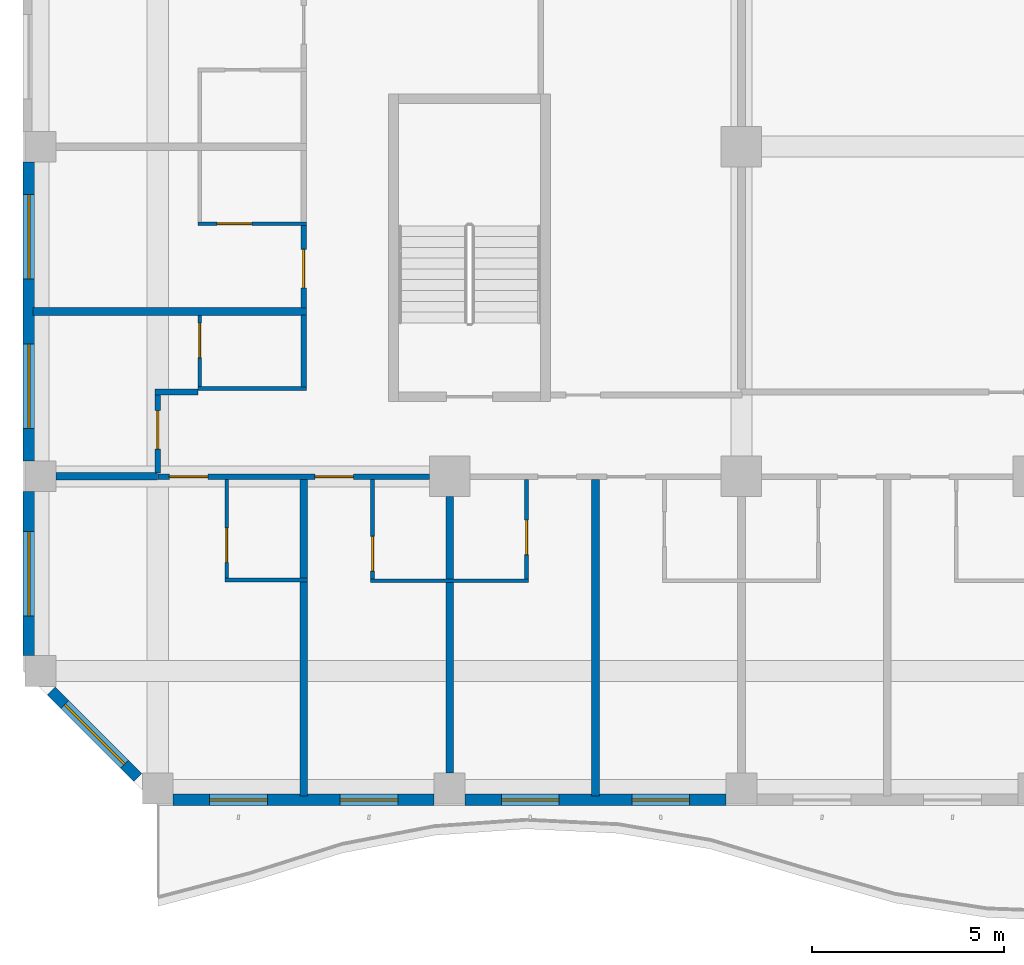
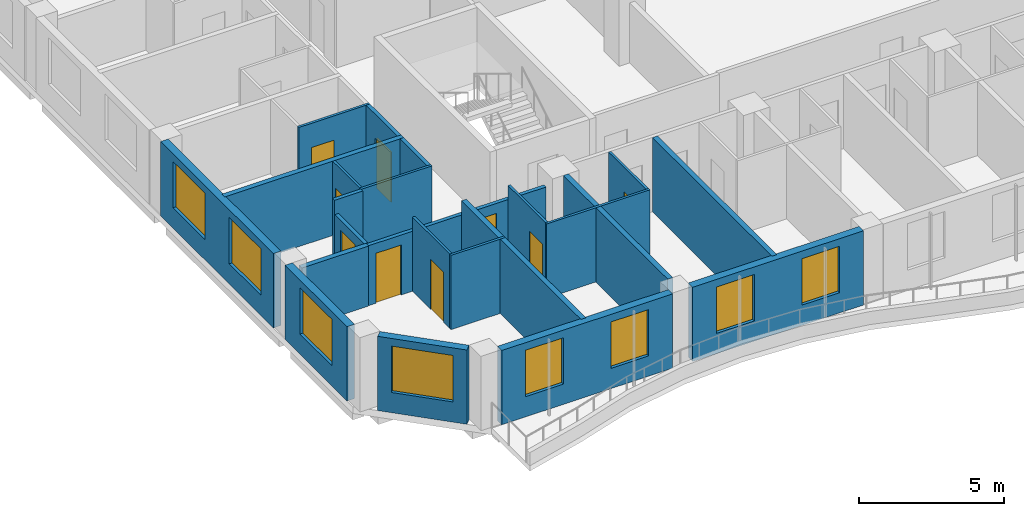
# One storey, part 2 of 24: 25 walls, 9 doors, 8 windows, 17 openings.
"""IFC4 building model written with IfcOpenShell, lengths in metres."""

from ifc_helpers import new_model, si_unit, direction, frame, frame_2d, origin, place, context, subcontext, project, spatial, rectangle, extrude, source, transform, mapped, material, layer, layer_set, type_object, element, fill, save


model = new_model("IFC4")

# Units and contexts
model_context = context("Model", 3, precision=1e-05, world=origin(), true_north=direction((0.0, 1.0)))
body_context = subcontext(model_context, "Body", "Model", "MODEL_VIEW")
ifc_project = project(units=[si_unit("LENGTHUNIT", "METRE"), si_unit("AREAUNIT", "SQUARE_METRE"), si_unit("VOLUMEUNIT", "CUBIC_METRE"), si_unit("PLANEANGLEUNIT", "RADIAN"), si_unit("MASSUNIT", "GRAM", prefix="KILO")], contexts=[model_context])

# Site, building, storey
site_placement = place(None, origin())
site = spatial("IfcSite", under=ifc_project, at=site_placement, CompositionType="ELEMENT")
building_placement = place(site_placement, origin())
building = spatial("IfcBuilding", under=site, at=building_placement, Name="Kilnfold Tower and Market Hall", CompositionType="ELEMENT")
storey_placement = place(building_placement, frame((0.0, 0.0, 175.300048828125)))
storey = spatial("IfcBuildingStorey", under=building, at=storey_placement, Name="L41", CompositionType="ELEMENT", Elevation=175.300048828125)

# Wall, openings, doors
ifc_material_1 = material(Name="Gypsum board on steel studs", Category="steel")
ifc_layer_1 = layer(ifc_material_1, 0.14990234375)
ifc_layer_set_1 = layer_set([ifc_layer_1], Name="Gypsum board on steel studs")
wall_type_1 = type_object("IfcWallType", Name="WALL CORRIDOR 150", PredefinedType="PARTITIONING", material=ifc_layer_set_1)
wall_1_placement = place(storey_placement, frame((-23.75, -17.699951171875, 0.0), z_axis=(0.0, 0.0, 1.0), x_axis=(1.0, 0.0, 0.0)))
wall_1 = element("IfcWall", 1, at=wall_1_placement, inside=storey, type_object=wall_type_1, Name="Partition LY26.1", PredefinedType="PARTITIONING", context=body_context, shape_type="SweptSolid", body=[
    extrude(rectangle(XDim=7.05810546875, YDim=0.14990234375, at=frame_2d((3.529052734375, 0.0))), origin(), (0.0, 0.0, 1.0), 2.52001953125),
])
opening_1_placement = place(wall_1_placement, frame((0.300048828125, 0.0, 0.0)))
opening_1 = element("IfcOpeningElement", 2, at=opening_1_placement, cuts=wall_1, Name="Opening D1", PredefinedType="OPENING", context=body_context, shape_type="SweptSolid", body=[
    extrude(rectangle(XDim=1.0, YDim=2.10009765625, at=frame_2d((0.5, 1.050048828125))), frame((0.0, 0.0849609375, 0.0), z_axis=(0.0, -1.0, 0.0), x_axis=(1.0, 0.0, 0.0)), (0.0, 0.0, 1.0), 0.169921875),
])
opening_2_placement = place(wall_1_placement, frame((4.083984375, 0.0, 0.0)))
opening_2 = element("IfcOpeningElement", 3, at=opening_2_placement, cuts=wall_1, Name="Opening D1", PredefinedType="OPENING", context=body_context, shape_type="SweptSolid", body=[
    extrude(rectangle(XDim=1.0, YDim=2.10009765625, at=frame_2d((0.5, 1.050048828125))), frame((0.0, 0.0849609375, 0.0), z_axis=(0.0, -1.0, 0.0), x_axis=(1.0, 0.0, 0.0)), (0.0, 0.0, 1.0), 0.169921875),
])
ifc_material_2 = material(Name="Timber veneer door leaf in steel frame", Category="steel")
door_type_1 = type_object("IfcDoorType", Name="DOOR ENTRY 1000 X2100", OperationType="NOTDEFINED", PredefinedType="DOOR", material=ifc_material_2)
door_1_placement = place(opening_1_placement, origin())
door_1 = element("IfcDoor", 4, at=door_1_placement, inside=storey, type_object=door_type_1, Name="Door D1", OperationType="SINGLE_SWING_RIGHT", OverallHeight=2.10009765625, OverallWidth=1.0, PredefinedType="DOOR", context=body_context, shape_type="SweptSolid", body=[
    extrude(rectangle(XDim=1.0, YDim=2.10009765625, at=frame_2d((0.5, 1.050048828125))), frame((0.0, 0.02490234375, 0.0), z_axis=(0.0, -1.0, 0.0), x_axis=(1.0, 0.0, 0.0)), (0.0, 0.0, 1.0), 0.050048828125),
])
fill(opening_1, door_1)
door_2_placement = place(opening_2_placement, origin())
door_2 = element("IfcDoor", 5, at=door_2_placement, inside=storey, type_object=door_type_1, Name="Door D1", OperationType="SINGLE_SWING_RIGHT", OverallHeight=2.10009765625, OverallWidth=1.0, PredefinedType="DOOR", context=body_context, shape_type="SweptSolid", body=[
    extrude(rectangle(XDim=1.0, YDim=2.10009765625, at=frame_2d((0.5, 1.050048828125))), frame((0.0, 0.02490234375, 0.0), z_axis=(0.0, -1.0, 0.0), x_axis=(1.0, 0.0, 0.0)), (0.0, 0.0, 1.0), 0.050048828125),
])
fill(opening_2, door_2)

# Wall, opening, door
wall_2_placement = place(storey_placement, frame((-23.75, -15.574951171875, 0.0), z_axis=(0.0, 0.0, 1.0), x_axis=(0.0, -1.0, 0.0)))
wall_2 = element("IfcWall", 6, at=wall_2_placement, inside=storey, type_object=wall_type_1, Name="Partition LY26.7", PredefinedType="PARTITIONING", context=body_context, shape_type="SweptSolid", body=[
    extrude(rectangle(XDim=2.02294921875, YDim=0.14990234375, at=frame_2d((1.011474609375, 0.0))), origin(), (0.0, 0.0, 1.0), 2.52001953125),
])
opening_3_placement = place(wall_2_placement, frame((0.407958984375, 0.0, 0.0)))
opening_3 = element("IfcOpeningElement", 7, at=opening_3_placement, cuts=wall_2, Name="Opening D1", PredefinedType="OPENING", context=body_context, shape_type="SweptSolid", body=[
    extrude(rectangle(XDim=1.0, YDim=2.10009765625, at=frame_2d((0.5, 1.050048828125))), frame((0.0, 0.0849609375, 0.0), z_axis=(0.0, -1.0, 0.0), x_axis=(1.0, 0.0, 0.0)), (0.0, 0.0, 1.0), 0.169921875),
])
door_3_placement = place(opening_3_placement, origin())
door_3 = element("IfcDoor", 8, at=door_3_placement, inside=storey, type_object=door_type_1, Name="Door D1", OperationType="SINGLE_SWING_LEFT", OverallHeight=2.10009765625, OverallWidth=1.0, PredefinedType="DOOR", context=body_context, shape_type="SweptSolid", body=[
    extrude(rectangle(XDim=1.0, YDim=2.10009765625, at=frame_2d((0.5, 1.050048828125))), frame((0.0, 0.02490234375, 0.0), z_axis=(0.0, -1.0, 0.0), x_axis=(1.0, 0.0, 0.0)), (0.0, 0.0, 1.0), 0.050048828125),
])
fill(opening_3, door_3)

# Walls
wall_3_placement = place(storey_placement, frame((-23.824951171875, -15.5, 0.0), z_axis=(0.0, 0.0, 1.0), x_axis=(1.0, 0.0, 0.0)))
element("IfcWall", 9, at=wall_3_placement, inside=storey, type_object=wall_type_1, Name="Partition LY26.8", PredefinedType="PARTITIONING", context=body_context, shape_type="SweptSolid", body=[
    extrude(rectangle(XDim=1.114013671875, YDim=0.14990234375, at=frame_2d((0.55712890625, 0.0))), origin(), (0.0, 0.0, 1.0), 3.119873046875),
])
wall_4_placement = place(storey_placement, frame((-19.958984375, -15.365966796875, 0.0), z_axis=(0.0, 0.0, 1.0), x_axis=(0.0, 1.0, 0.0)))
element("IfcWall", 10, at=wall_4_placement, inside=storey, type_object=wall_type_1, Name="Partition LY26.9", PredefinedType="PARTITIONING", context=body_context, shape_type="SweptSolid", body=[
    extrude(rectangle(XDim=1.869873046875, YDim=0.14990234375, at=frame_2d((0.93505859375, 0.0))), origin(), (0.0, 0.0, 1.0), 3.119873046875),
])

# Wall, opening, door
wall_5_placement = place(storey_placement, frame((-19.958984375, -13.31591796875, 0.0), z_axis=(0.0, 0.0, 1.0), x_axis=(0.0, 1.0, 0.0)))
wall_5 = element("IfcWall", 11, at=wall_5_placement, inside=storey, type_object=wall_type_1, Name="Partition LY26.10", PredefinedType="PARTITIONING", context=body_context, shape_type="SweptSolid", body=[
    extrude(rectangle(XDim=2.15087890625, YDim=0.14990234375, at=frame_2d((1.075439453125, 0.0))), origin(), (0.0, 0.0, 1.0), 3.119873046875),
])
opening_4_placement = place(wall_5_placement, frame((0.52197265625, 0.0, 0.0)))
opening_4 = element("IfcOpeningElement", 12, at=opening_4_placement, cuts=wall_5, Name="Opening D1", PredefinedType="OPENING", context=body_context, shape_type="SweptSolid", body=[
    extrude(rectangle(XDim=1.0, YDim=2.10009765625, at=frame_2d((0.5, 1.050048828125))), frame((0.0, 0.0849609375, 0.0), z_axis=(0.0, -1.0, 0.0), x_axis=(1.0, 0.0, 0.0)), (0.0, 0.0, 1.0), 0.169921875),
])
door_4_placement = place(opening_4_placement, origin())
door_4 = element("IfcDoor", 13, at=door_4_placement, inside=storey, type_object=door_type_1, Name="Door D1", OperationType="SINGLE_SWING_LEFT", OverallHeight=2.10009765625, OverallWidth=1.0, PredefinedType="DOOR", context=body_context, shape_type="SweptSolid", body=[
    extrude(rectangle(XDim=1.0, YDim=2.10009765625, at=frame_2d((0.5, 1.050048828125))), frame((0.0, 0.02490234375, 0.0), z_axis=(0.0, -1.0, 0.0), x_axis=(1.0, 0.0, 0.0)), (0.0, 0.0, 1.0), 0.050048828125),
])
fill(opening_4, door_4)

ifc_material_3 = material(Name="Gypsum board on steel studs", Category="steel")
ifc_layer_2 = layer(ifc_material_3, 0.10009765625)
ifc_layer_set_2 = layer_set([ifc_layer_2], Name="Gypsum board on steel studs")
wall_type_2 = type_object("IfcWallType", Name="WALL PARTITION 100", PredefinedType="PARTITIONING", material=ifc_layer_set_2)
wall_6_placement = place(storey_placement, frame((-21.958984375, -20.337890625, 0.0), z_axis=(0.0, 0.0, 1.0), x_axis=(0.0, 1.0, 0.0)))
wall_6 = element("IfcWall", 14, at=wall_6_placement, inside=storey, type_object=wall_type_2, Name="Partition LY26.50", PredefinedType="PARTITIONING", context=body_context, shape_type="SweptSolid", body=[
    extrude(rectangle(XDim=2.560791015625, YDim=0.10009765625, at=frame_2d((1.2802734375, 0.0))), origin(), (0.0, 0.0, 1.0), 3.119873046875),
])
opening_5_placement = place(wall_6_placement, frame((0.409912109375, 0.0, 0.0)))
opening_5 = element("IfcOpeningElement", 15, at=opening_5_placement, cuts=wall_6, Name="Opening D3", PredefinedType="OPENING", context=body_context, shape_type="SweptSolid", body=[
    extrude(rectangle(XDim=0.89990234375, YDim=2.10009765625, at=frame_2d((0.449951171875, 1.050048828125))), frame((0.0, 0.06005859375, 0.0), z_axis=(0.0, -1.0, 0.0), x_axis=(1.0, 0.0, 0.0)), (0.0, 0.0, 1.0), 0.1201171875),
])
ifc_material_4 = material(Name="Timber veneer door leaf in steel frame", Category="steel")
door_type_2 = type_object("IfcDoorType", Name="DOOR WC 900 X2100", OperationType="NOTDEFINED", PredefinedType="DOOR", material=ifc_material_4)
door_5_placement = place(opening_5_placement, origin())
door_5 = element("IfcDoor", 16, at=door_5_placement, inside=storey, type_object=door_type_2, Name="Door D3", OperationType="SINGLE_SWING_LEFT", OverallHeight=2.10009765625, OverallWidth=0.89990234375, PredefinedType="DOOR", context=body_context, shape_type="SweptSolid", body=[
    extrude(rectangle(XDim=0.89990234375, YDim=2.10009765625, at=frame_2d((0.449951171875, 1.050048828125))), frame((0.0, 0.02490234375, 0.0), z_axis=(0.0, -1.0, 0.0), x_axis=(1.0, 0.0, 0.0)), (0.0, 0.0, 1.0), 0.050048828125),
])
fill(opening_5, door_5)

# Wall
wall_7_placement = place(storey_placement, frame((-22.009033203125, -20.387939453125, 0.0), z_axis=(0.0, 0.0, 1.0), x_axis=(1.0, 0.0, 0.0)))
element("IfcWall", 17, at=wall_7_placement, inside=storey, type_object=wall_type_2, Name="Partition LY26.51", PredefinedType="PARTITIONING", context=body_context, shape_type="SweptSolid", body=[
    extrude(rectangle(XDim=2.150146484375, YDim=0.10009765625, at=frame_2d((1.0751953125, 0.0))), origin(), (0.0, 0.0, 1.0), 3.119873046875),
])

# Wall, opening, door
wall_8_placement = place(storey_placement, frame((-18.1669921875, -20.35205078125, 0.0), z_axis=(0.0, 0.0, 1.0), x_axis=(0.0, 1.0, 0.0)))
wall_8 = element("IfcWall", 18, at=wall_8_placement, inside=storey, type_object=wall_type_2, Name="Partition LY26.55", PredefinedType="PARTITIONING", context=body_context, shape_type="SweptSolid", body=[
    extrude(rectangle(XDim=2.574951171875, YDim=0.10009765625, at=frame_2d((1.28759765625, 0.0))), origin(), (0.0, 0.0, 1.0), 3.119873046875),
])
opening_6_placement = place(wall_8_placement, frame((0.199951171875, 0.0, 0.0)))
opening_6 = element("IfcOpeningElement", 19, at=opening_6_placement, cuts=wall_8, Name="Opening D3", PredefinedType="OPENING", context=body_context, shape_type="SweptSolid", body=[
    extrude(rectangle(XDim=0.89990234375, YDim=2.10009765625, at=frame_2d((0.449951171875, 1.050048828125))), frame((0.0, 0.06005859375, 0.0), z_axis=(0.0, -1.0, 0.0), x_axis=(1.0, 0.0, 0.0)), (0.0, 0.0, 1.0), 0.1201171875),
])
door_6_placement = place(opening_6_placement, origin())
door_6 = element("IfcDoor", 20, at=door_6_placement, inside=storey, type_object=door_type_2, Name="Door D3", OperationType="SINGLE_SWING_LEFT", OverallHeight=2.10009765625, OverallWidth=0.89990234375, PredefinedType="DOOR", context=body_context, shape_type="SweptSolid", body=[
    extrude(rectangle(XDim=0.89990234375, YDim=2.10009765625, at=frame_2d((0.449951171875, 1.050048828125))), frame((0.0, 0.02490234375, 0.0), z_axis=(0.0, -1.0, 0.0), x_axis=(1.0, 0.0, 0.0)), (0.0, 0.0, 1.0), 0.050048828125),
])
fill(opening_6, door_6)

# Wall
wall_9_placement = place(storey_placement, frame((-18.217041015625, -20.402099609375, 0.0), z_axis=(0.0, 0.0, 1.0), x_axis=(1.0, 0.0, 0.0)))
element("IfcWall", 21, at=wall_9_placement, inside=storey, type_object=wall_type_2, Name="Partition LY26.56", PredefinedType="PARTITIONING", context=body_context, shape_type="SweptSolid", body=[
    extrude(rectangle(XDim=4.10009765625, YDim=0.10009765625, at=frame_2d((2.050048828125, 0.0))), origin(), (0.0, 0.0, 1.0), 3.119873046875),
])

# Wall, opening, door
wall_10_placement = place(storey_placement, frame((-14.1669921875, -17.777099609375, 0.0), z_axis=(0.0, 0.0, 1.0), x_axis=(0.0, -1.0, 0.0)))
wall_10 = element("IfcWall", 22, at=wall_10_placement, inside=storey, type_object=wall_type_2, Name="Partition LY26.59", PredefinedType="PARTITIONING", context=body_context, shape_type="SweptSolid", body=[
    extrude(rectangle(XDim=2.574951171875, YDim=0.10009765625, at=frame_2d((1.28759765625, 0.0))), origin(), (0.0, 0.0, 1.0), 3.119873046875),
])
opening_7_placement = place(wall_10_placement, frame((1.050048828125, 0.0, 0.0)))
opening_7 = element("IfcOpeningElement", 23, at=opening_7_placement, cuts=wall_10, Name="Opening D3", PredefinedType="OPENING", context=body_context, shape_type="SweptSolid", body=[
    extrude(rectangle(XDim=0.89990234375, YDim=2.10009765625, at=frame_2d((0.449951171875, 1.050048828125))), frame((0.0, 0.06005859375, 0.0), z_axis=(0.0, -1.0, 0.0), x_axis=(1.0, 0.0, 0.0)), (0.0, 0.0, 1.0), 0.1201171875),
])
door_7_placement = place(opening_7_placement, origin())
door_7 = element("IfcDoor", 24, at=door_7_placement, inside=storey, type_object=door_type_2, Name="Door D3", OperationType="SINGLE_SWING_LEFT", OverallHeight=2.10009765625, OverallWidth=0.89990234375, PredefinedType="DOOR", context=body_context, shape_type="SweptSolid", body=[
    extrude(rectangle(XDim=0.89990234375, YDim=2.10009765625, at=frame_2d((0.449951171875, 1.050048828125))), frame((0.0, 0.02490234375, 0.0), z_axis=(0.0, -1.0, 0.0), x_axis=(1.0, 0.0, 0.0)), (0.0, 0.0, 1.0), 0.050048828125),
])
fill(opening_7, door_7)

# Wall
wall_11_placement = place(storey_placement, frame((-19.885986328125, -15.406005859375, 0.0), z_axis=(0.0, 0.0, 1.0), x_axis=(-1.0, 0.0, 0.0)))
element("IfcWall", 25, at=wall_11_placement, inside=storey, type_object=wall_type_2, Name="Partition LY26.89", PredefinedType="PARTITIONING", context=body_context, shape_type="SweptSolid", body=[
    extrude(rectangle(XDim=2.824951171875, YDim=0.10009765625, at=frame_2d((1.41259765625, 0.0))), origin(), (0.0, 0.0, 1.0), 3.119873046875),
])

# Wall, opening, door
wall_12_placement = place(storey_placement, frame((-22.660888671875, -15.35595703125, 0.0), z_axis=(0.0, 0.0, 1.0), x_axis=(0.0, 1.0, 0.0)))
wall_12 = element("IfcWall", 26, at=wall_12_placement, inside=storey, type_object=wall_type_2, Name="Partition LY26.90", PredefinedType="PARTITIONING", context=body_context, shape_type="SweptSolid", body=[
    extrude(rectangle(XDim=1.849853515625, YDim=0.10009765625, at=frame_2d((0.9248046875, 0.0))), origin(), (0.0, 0.0, 1.0), 3.119873046875),
])
opening_8_placement = place(wall_12_placement, frame((0.75, 0.0, 0.0)))
opening_8 = element("IfcOpeningElement", 27, at=opening_8_placement, cuts=wall_12, Name="Opening D3", PredefinedType="OPENING", context=body_context, shape_type="SweptSolid", body=[
    extrude(rectangle(XDim=0.89990234375, YDim=2.10009765625, at=frame_2d((0.449951171875, 1.050048828125))), frame((0.0, 0.06005859375, 0.0), z_axis=(0.0, -1.0, 0.0), x_axis=(1.0, 0.0, 0.0)), (0.0, 0.0, 1.0), 0.1201171875),
])
door_8_placement = place(opening_8_placement, origin())
door_8 = element("IfcDoor", 28, at=door_8_placement, inside=storey, type_object=door_type_2, Name="Door D3", OperationType="SINGLE_SWING_RIGHT", OverallHeight=2.10009765625, OverallWidth=0.89990234375, PredefinedType="DOOR", context=body_context, shape_type="SweptSolid", body=[
    extrude(rectangle(XDim=0.89990234375, YDim=2.10009765625, at=frame_2d((0.449951171875, 1.050048828125))), frame((0.0, 0.02490234375, 0.0), z_axis=(0.0, -1.0, 0.0), x_axis=(1.0, 0.0, 0.0)), (0.0, 0.0, 1.0), 0.050048828125),
])
fill(opening_8, door_8)

wall_13_placement = place(storey_placement, frame((-19.885986328125, -11.125, 0.0), z_axis=(0.0, 0.0, 1.0), x_axis=(-1.0, 0.0, 0.0)))
wall_13 = element("IfcWall", 29, at=wall_13_placement, inside=storey, type_object=wall_type_2, Name="Partition LY26.92", PredefinedType="PARTITIONING", context=body_context, shape_type="SweptSolid", body=[
    extrude(rectangle(XDim=2.824951171875, YDim=0.10009765625, at=frame_2d((1.41259765625, 0.0))), origin(), (0.0, 0.0, 1.0), 3.119873046875),
])
opening_9_placement = place(wall_13_placement, frame((1.419921875, 0.0, 0.0)))
opening_9 = element("IfcOpeningElement", 30, at=opening_9_placement, cuts=wall_13, Name="Opening D3", PredefinedType="OPENING", context=body_context, shape_type="SweptSolid", body=[
    extrude(rectangle(XDim=0.89990234375, YDim=2.10009765625, at=frame_2d((0.449951171875, 1.050048828125))), frame((0.0, 0.06005859375, 0.0), z_axis=(0.0, -1.0, 0.0), x_axis=(1.0, 0.0, 0.0)), (0.0, 0.0, 1.0), 0.1201171875),
])
door_9_placement = place(opening_9_placement, origin())
door_9 = element("IfcDoor", 31, at=door_9_placement, inside=storey, type_object=door_type_2, Name="Door D3", OperationType="SINGLE_SWING_LEFT", OverallHeight=2.10009765625, OverallWidth=0.89990234375, PredefinedType="DOOR", context=body_context, shape_type="SweptSolid", body=[
    extrude(rectangle(XDim=0.89990234375, YDim=2.10009765625, at=frame_2d((0.449951171875, 1.050048828125))), frame((0.0, 0.02490234375, 0.0), z_axis=(0.0, -1.0, 0.0), x_axis=(1.0, 0.0, 0.0)), (0.0, 0.0, 1.0), 0.050048828125),
])
fill(opening_9, door_9)

# Walls
ifc_material_5 = material(Name="Gypsum board on steel studs", Category="steel")
ifc_layer_3 = layer(ifc_material_5, 0.199951171875)
ifc_layer_set_3 = layer_set([ifc_layer_3], Name="Gypsum board on steel studs")
wall_type_3 = type_object("IfcWallType", Name="WALL PARTY 200", PredefinedType="PARTITIONING", material=ifc_layer_set_3)
wall_14_placement = place(storey_placement, frame((-19.958984375, -26.0, 0.0), z_axis=(0.0, 0.0, 1.0), x_axis=(0.0, 1.0, 0.0)))
element("IfcWall", 32, at=wall_14_placement, inside=storey, type_object=wall_type_3, Name="Partition LY26.52", PredefinedType="PARTITIONING", context=body_context, shape_type="SweptSolid", body=[
    extrude(rectangle(XDim=5.56201171875, YDim=0.199951171875, at=frame_2d((2.781005859375, 0.0))), origin(), (0.0, 0.0, 1.0), 3.119873046875),
])
wall_15_placement = place(storey_placement, frame((-26.39990234375, -17.68798828125, 0.0), z_axis=(0.0, 0.0, 1.0), x_axis=(1.0, 0.0, 0.0)))
element("IfcWall", 33, at=wall_15_placement, inside=storey, type_object=wall_type_3, Name="Partition LY26.53", PredefinedType="PARTITIONING", context=body_context, shape_type="SweptSolid", body=[
    extrude(rectangle(XDim=2.64794921875, YDim=0.199951171875, at=frame_2d((1.323974609375, 0.0))), origin(), (0.0, 0.0, 1.0), 2.52001953125),
])
wall_16_placement = place(storey_placement, frame((-19.958984375, -20.337890625, 0.0), z_axis=(0.0, 0.0, 1.0), x_axis=(0.0, 1.0, 0.0)))
element("IfcWall", 34, at=wall_16_placement, inside=storey, type_object=wall_type_3, Name="Partition LY26.54", PredefinedType="PARTITIONING", context=body_context, shape_type="SweptSolid", body=[
    extrude(rectangle(XDim=2.560791015625, YDim=0.199951171875, at=frame_2d((1.2802734375, 0.0))), origin(), (0.0, 0.0, 1.0), 3.119873046875),
])
wall_17_placement = place(storey_placement, frame((-16.1669921875, -25.39990234375, 0.0), z_axis=(0.0, 0.0, 1.0), x_axis=(0.0, 1.0, 0.0)))
element("IfcWall", 35, at=wall_17_placement, inside=storey, type_object=wall_type_3, Name="Partition LY26.57", PredefinedType="PARTITIONING", context=body_context, shape_type="SweptSolid", body=[
    extrude(rectangle(XDim=4.947998046875, YDim=0.199951171875, at=frame_2d((2.47412109375, 0.0))), origin(), (0.0, 0.0, 1.0), 3.119873046875),
])
wall_18_placement = place(storey_placement, frame((-16.1669921875, -20.35205078125, 0.0), z_axis=(0.0, 0.0, 1.0), x_axis=(0.0, 1.0, 0.0)))
element("IfcWall", 36, at=wall_18_placement, inside=storey, type_object=wall_type_3, Name="Partition LY26.58", PredefinedType="PARTITIONING", context=body_context, shape_type="SweptSolid", body=[
    extrude(rectangle(XDim=2.14013671875, YDim=0.199951171875, at=frame_2d((1.070068359375, 0.0))), origin(), (0.0, 0.0, 1.0), 3.119873046875),
])
wall_19_placement = place(storey_placement, frame((-12.375, -26.0, 0.0), z_axis=(0.0, 0.0, 1.0), x_axis=(0.0, 1.0, 0.0)))
element("IfcWall", 37, at=wall_19_placement, inside=storey, type_object=wall_type_3, Name="Partition LY26.60", PredefinedType="PARTITIONING", context=body_context, shape_type="SweptSolid", body=[
    extrude(rectangle(XDim=8.222900390625, YDim=0.199951171875, at=frame_2d((4.111328125, 0.0))), origin(), (0.0, 0.0, 1.0), 3.119873046875),
])
wall_20_placement = place(storey_placement, frame((-27.0, -13.406005859375, 0.0), z_axis=(0.0, 0.0, 1.0), x_axis=(1.0, 0.0, 0.0)))
element("IfcWall", 38, at=wall_20_placement, inside=storey, type_object=wall_type_3, Name="Partition LY26.91", PredefinedType="PARTITIONING", context=body_context, shape_type="SweptSolid", body=[
    extrude(rectangle(XDim=7.114013671875, YDim=0.199951171875, at=frame_2d((3.55712890625, 0.0))), origin(), (0.0, 0.0, 1.0), 3.119873046875),
])

# Wall, openings, windows
ifc_material_6 = material(Name="Precast concrete C50/60", Category="concrete")
ifc_layer_4 = layer(ifc_material_6, 0.300048828125)
ifc_layer_set_4 = layer_set([ifc_layer_4], Name="Precast concrete C50/60")
wall_type_4 = type_object("IfcWallType", Name="PRECAST WALL 300", PredefinedType="SOLIDWALL", material=ifc_layer_set_4)
shared_shape_1 = source(origin(), body_context, "Body", "SweptSolid", [
    extrude(rectangle(XDim=6.783447265625, YDim=0.300048828125, at=frame_2d((3.3916015625, 0.0))), origin(), (0.0, 0.0, 1.0), 3.119873046875),
])
wall_21_placement = place(storey_placement, frame((-23.35009765625, -26.10009765625, 0.0), z_axis=(0.0, 0.0, 1.0), x_axis=(1.0, 0.0, 0.0)))
wall_21 = element("IfcWall", 39, at=wall_21_placement, inside=storey, type_object=wall_type_4, Name="External wall L41 S", PredefinedType="SOLIDWALL", context=body_context, shape_type="MappedRepresentation", body=[
    mapped(shared_shape_1, transform((0.0, 0.0, 0.0))),
])
opening_10_placement = place(wall_21_placement, frame((0.94580078125, 0.0, 0.85009765625)))
opening_10 = element("IfcOpeningElement", 40, at=opening_10_placement, cuts=wall_21, Name="Opening W4", PredefinedType="OPENING", context=body_context, shape_type="SweptSolid", body=[
    extrude(rectangle(XDim=1.5, YDim=1.949951171875, at=frame_2d((0.75, 0.97509765625))), frame((0.0, 0.16015625, 0.0), z_axis=(0.0, -1.0, 0.0), x_axis=(1.0, 0.0, 0.0)), (0.0, 0.0, 1.0), 0.320068359375),
])
opening_11_placement = place(wall_21_placement, frame((4.33740234375, 0.0, 0.85009765625)))
opening_11 = element("IfcOpeningElement", 41, at=opening_11_placement, cuts=wall_21, Name="Opening W4", PredefinedType="OPENING", context=body_context, shape_type="SweptSolid", body=[
    extrude(rectangle(XDim=1.5, YDim=1.949951171875, at=frame_2d((0.75, 0.97509765625))), frame((0.0, 0.16015625, 0.0), z_axis=(0.0, -1.0, 0.0), x_axis=(1.0, 0.0, 0.0)), (0.0, 0.0, 1.0), 0.320068359375),
])
ifc_material_7 = material(Name="Aluminium frame and double glazing", Category="aluminium")
window_type_1 = type_object("IfcWindowType", Name="WINDOW W4 1500X1950", PartitioningType="SINGLE_PANEL", PredefinedType="WINDOW", material=ifc_material_7)
window_1_placement = place(opening_10_placement, origin())
window_1 = element("IfcWindow", 42, at=window_1_placement, inside=storey, type_object=window_type_1, Name="Window W4 L41 S-1", OverallHeight=1.949951171875, OverallWidth=1.5, PartitioningType="SINGLE_PANEL", PredefinedType="WINDOW", context=body_context, shape_type="SweptSolid", body=[
    extrude(rectangle(XDim=1.5, YDim=1.949951171875, at=frame_2d((0.75, 0.97509765625))), frame((0.0, 0.030029296875, 0.0), z_axis=(0.0, -1.0, 0.0), x_axis=(1.0, 0.0, 0.0)), (0.0, 0.0, 1.0), 0.06005859375),
])
fill(opening_10, window_1)
window_2_placement = place(opening_11_placement, origin())
window_2 = element("IfcWindow", 43, at=window_2_placement, inside=storey, type_object=window_type_1, Name="Window W4 L41 S-2", OverallHeight=1.949951171875, OverallWidth=1.5, PartitioningType="SINGLE_PANEL", PredefinedType="WINDOW", context=body_context, shape_type="SweptSolid", body=[
    extrude(rectangle(XDim=1.5, YDim=1.949951171875, at=frame_2d((0.75, 0.97509765625))), frame((0.0, 0.030029296875, 0.0), z_axis=(0.0, -1.0, 0.0), x_axis=(1.0, 0.0, 0.0)), (0.0, 0.0, 1.0), 0.06005859375),
])
fill(opening_11, window_2)

shared_shape_2 = source(origin(), body_context, "Body", "SweptSolid", [
    extrude(rectangle(XDim=6.783203125, YDim=0.300048828125, at=frame_2d((3.3916015625, 0.0))), origin(), (0.0, 0.0, 1.0), 3.119873046875),
])
wall_22_placement = place(storey_placement, frame((-15.7666015625, -26.10009765625, 0.0), z_axis=(0.0, 0.0, 1.0), x_axis=(1.0, 0.0, 0.0)))
wall_22 = element("IfcWall", 44, at=wall_22_placement, inside=storey, type_object=wall_type_4, Name="External wall L41 S", PredefinedType="SOLIDWALL", context=body_context, shape_type="MappedRepresentation", body=[
    mapped(shared_shape_2, transform((0.0, 0.0, 0.0))),
])
opening_12_placement = place(wall_22_placement, frame((0.94580078125, 0.0, 0.85009765625)))
opening_12 = element("IfcOpeningElement", 45, at=opening_12_placement, cuts=wall_22, Name="Opening W4", PredefinedType="OPENING", context=body_context, shape_type="SweptSolid", body=[
    extrude(rectangle(XDim=1.5, YDim=1.949951171875, at=frame_2d((0.75, 0.97509765625))), frame((0.0, 0.16015625, 0.0), z_axis=(0.0, -1.0, 0.0), x_axis=(1.0, 0.0, 0.0)), (0.0, 0.0, 1.0), 0.320068359375),
])
opening_13_placement = place(wall_22_placement, frame((4.337646484375, 0.0, 0.85009765625)))
opening_13 = element("IfcOpeningElement", 46, at=opening_13_placement, cuts=wall_22, Name="Opening W4", PredefinedType="OPENING", context=body_context, shape_type="SweptSolid", body=[
    extrude(rectangle(XDim=1.5, YDim=1.949951171875, at=frame_2d((0.75, 0.97509765625))), frame((0.0, 0.16015625, 0.0), z_axis=(0.0, -1.0, 0.0), x_axis=(1.0, 0.0, 0.0)), (0.0, 0.0, 1.0), 0.320068359375),
])
window_3_placement = place(opening_12_placement, origin())
window_3 = element("IfcWindow", 47, at=window_3_placement, inside=storey, type_object=window_type_1, Name="Window W4 L41 S-1", OverallHeight=1.949951171875, OverallWidth=1.5, PartitioningType="SINGLE_PANEL", PredefinedType="WINDOW", context=body_context, shape_type="SweptSolid", body=[
    extrude(rectangle(XDim=1.5, YDim=1.949951171875, at=frame_2d((0.75, 0.97509765625))), frame((0.0, 0.030029296875, 0.0), z_axis=(0.0, -1.0, 0.0), x_axis=(1.0, 0.0, 0.0)), (0.0, 0.0, 1.0), 0.06005859375),
])
fill(opening_12, window_3)
window_4_placement = place(opening_13_placement, origin())
window_4 = element("IfcWindow", 48, at=window_4_placement, inside=storey, type_object=window_type_1, Name="Window W4 L41 S-2", OverallHeight=1.949951171875, OverallWidth=1.5, PartitioningType="SINGLE_PANEL", PredefinedType="WINDOW", context=body_context, shape_type="SweptSolid", body=[
    extrude(rectangle(XDim=1.5, YDim=1.949951171875, at=frame_2d((0.75, 0.97509765625))), frame((0.0, 0.030029296875, 0.0), z_axis=(0.0, -1.0, 0.0), x_axis=(1.0, 0.0, 0.0)), (0.0, 0.0, 1.0), 0.06005859375),
])
fill(opening_13, window_4)

# Wall, opening, window
shared_shape_3 = source(origin(), body_context, "Body", "SweptSolid", [
    extrude(rectangle(XDim=3.18212890625, YDim=0.300048828125, at=frame_2d((1.591064453125, 0.0))), origin(), (0.0, 0.0, 1.0), 3.119873046875),
])
wall_23_placement = place(storey_placement, frame((-26.518798828125, -23.268798828125, 0.0), z_axis=(0.0, 0.0, 1.0), x_axis=(0.707068419229, -0.707145141063, 0.0)))
wall_23 = element("IfcWall", 49, at=wall_23_placement, inside=storey, type_object=wall_type_4, Name="External wall L41 SW", PredefinedType="SOLIDWALL", context=body_context, shape_type="MappedRepresentation", body=[
    mapped(shared_shape_3, transform((0.0, 0.0, 0.0))),
])
opening_14_placement = place(wall_23_placement, frame((0.490966796875, 0.0, 0.85009765625)))
opening_14 = element("IfcOpeningElement", 50, at=opening_14_placement, cuts=wall_23, Name="Opening W2", PredefinedType="OPENING", context=body_context, shape_type="SweptSolid", body=[
    extrude(rectangle(XDim=2.199951171875, YDim=1.949951171875, at=frame_2d((1.10009765625, 0.97509765625))), frame((0.0, 0.16015625, 0.0), z_axis=(0.0, -1.0, 0.0), x_axis=(1.0, 0.0, 0.0)), (0.0, 0.0, 1.0), 0.320068359375),
])
ifc_material_8 = material(Name="Aluminium frame and double glazing", Category="aluminium")
window_type_2 = type_object("IfcWindowType", Name="WINDOW W2 2200X1950", PartitioningType="SINGLE_PANEL", PredefinedType="WINDOW", material=ifc_material_8)
window_5_placement = place(opening_14_placement, origin())
window_5 = element("IfcWindow", 51, at=window_5_placement, inside=storey, type_object=window_type_2, Name="Window W2 L41 SW-1", OverallHeight=1.949951171875, OverallWidth=2.199951171875, PartitioningType="SINGLE_PANEL", PredefinedType="WINDOW", context=body_context, shape_type="SweptSolid", body=[
    extrude(rectangle(XDim=2.199951171875, YDim=1.949951171875, at=frame_2d((1.10009765625, 0.97509765625))), frame((0.0, 0.030029296875, 0.0), z_axis=(0.0, -1.0, 0.0), x_axis=(1.0, 0.0, 0.0)), (0.0, 0.0, 1.0), 0.06005859375),
])
fill(opening_14, window_5)

# Wall, openings, windows
shared_shape_4 = source(origin(), body_context, "Body", "SweptSolid", [
    extrude(rectangle(XDim=7.7626953125, YDim=0.300048828125, at=frame_2d((3.88134765625, 0.0))), origin(), (0.0, 0.0, 1.0), 3.119873046875),
])
wall_24_placement = place(storey_placement, frame((-27.10009765625, -9.52490234375, 0.0), z_axis=(0.0, 0.0, 1.0), x_axis=(0.0, -1.0, 0.0)))
wall_24 = element("IfcWall", 52, at=wall_24_placement, inside=storey, type_object=wall_type_4, Name="External wall L41 W", PredefinedType="SOLIDWALL", context=body_context, shape_type="MappedRepresentation", body=[
    mapped(shared_shape_4, transform((0.0, 0.0, 0.0))),
])
opening_15_placement = place(wall_24_placement, frame((0.840576171875, 0.0, 0.85009765625)))
opening_15 = element("IfcOpeningElement", 53, at=opening_15_placement, cuts=wall_24, Name="Opening W2", PredefinedType="OPENING", context=body_context, shape_type="SweptSolid", body=[
    extrude(rectangle(XDim=2.199951171875, YDim=1.949951171875, at=frame_2d((1.10009765625, 0.97509765625))), frame((0.0, 0.16015625, 0.0), z_axis=(0.0, -1.0, 0.0), x_axis=(1.0, 0.0, 0.0)), (0.0, 0.0, 1.0), 0.320068359375),
])
opening_16_placement = place(wall_24_placement, frame((4.721923828125, 0.0, 0.85009765625)))
opening_16 = element("IfcOpeningElement", 54, at=opening_16_placement, cuts=wall_24, Name="Opening W2", PredefinedType="OPENING", context=body_context, shape_type="SweptSolid", body=[
    extrude(rectangle(XDim=2.199951171875, YDim=1.949951171875, at=frame_2d((1.10009765625, 0.97509765625))), frame((0.0, 0.16015625, 0.0), z_axis=(0.0, -1.0, 0.0), x_axis=(1.0, 0.0, 0.0)), (0.0, 0.0, 1.0), 0.320068359375),
])
window_6_placement = place(opening_15_placement, origin())
window_6 = element("IfcWindow", 55, at=window_6_placement, inside=storey, type_object=window_type_2, Name="Window W2 L41 W-1", OverallHeight=1.949951171875, OverallWidth=2.199951171875, PartitioningType="SINGLE_PANEL", PredefinedType="WINDOW", context=body_context, shape_type="SweptSolid", body=[
    extrude(rectangle(XDim=2.199951171875, YDim=1.949951171875, at=frame_2d((1.10009765625, 0.97509765625))), frame((0.0, 0.030029296875, 0.0), z_axis=(0.0, -1.0, 0.0), x_axis=(1.0, 0.0, 0.0)), (0.0, 0.0, 1.0), 0.06005859375),
])
fill(opening_15, window_6)
window_7_placement = place(opening_16_placement, origin())
window_7 = element("IfcWindow", 56, at=window_7_placement, inside=storey, type_object=window_type_2, Name="Window W2 L41 W-2", OverallHeight=1.949951171875, OverallWidth=2.199951171875, PartitioningType="SINGLE_PANEL", PredefinedType="WINDOW", context=body_context, shape_type="SweptSolid", body=[
    extrude(rectangle(XDim=2.199951171875, YDim=1.949951171875, at=frame_2d((1.10009765625, 0.97509765625))), frame((0.0, 0.030029296875, 0.0), z_axis=(0.0, -1.0, 0.0), x_axis=(1.0, 0.0, 0.0)), (0.0, 0.0, 1.0), 0.06005859375),
])
fill(opening_16, window_7)

# Wall, opening, window
shared_shape_5 = source(origin(), body_context, "Body", "SweptSolid", [
    extrude(rectangle(XDim=4.2626953125, YDim=0.300048828125, at=frame_2d((2.13134765625, 0.0))), origin(), (0.0, 0.0, 1.0), 3.119873046875),
])
wall_25_placement = place(storey_placement, frame((-27.10009765625, -18.08740234375, 0.0), z_axis=(0.0, 0.0, 1.0), x_axis=(0.0, -1.0, 0.0)))
wall_25 = element("IfcWall", 57, at=wall_25_placement, inside=storey, type_object=wall_type_4, Name="External wall L41 W", PredefinedType="SOLIDWALL", context=body_context, shape_type="MappedRepresentation", body=[
    mapped(shared_shape_5, transform((0.0, 0.0, 0.0))),
])
opening_17_placement = place(wall_25_placement, frame((1.03125, 0.0, 0.85009765625)))
opening_17 = element("IfcOpeningElement", 58, at=opening_17_placement, cuts=wall_25, Name="Opening W2", PredefinedType="OPENING", context=body_context, shape_type="SweptSolid", body=[
    extrude(rectangle(XDim=2.199951171875, YDim=1.949951171875, at=frame_2d((1.10009765625, 0.97509765625))), frame((0.0, 0.16015625, 0.0), z_axis=(0.0, -1.0, 0.0), x_axis=(1.0, 0.0, 0.0)), (0.0, 0.0, 1.0), 0.320068359375),
])
window_8_placement = place(opening_17_placement, origin())
window_8 = element("IfcWindow", 59, at=window_8_placement, inside=storey, type_object=window_type_2, Name="Window W2 L41 W-1", OverallHeight=1.949951171875, OverallWidth=2.199951171875, PartitioningType="SINGLE_PANEL", PredefinedType="WINDOW", context=body_context, shape_type="SweptSolid", body=[
    extrude(rectangle(XDim=2.199951171875, YDim=1.949951171875, at=frame_2d((1.10009765625, 0.97509765625))), frame((0.0, 0.030029296875, 0.0), z_axis=(0.0, -1.0, 0.0), x_axis=(1.0, 0.0, 0.0)), (0.0, 0.0, 1.0), 0.06005859375),
])
fill(opening_17, window_8)

save(model, "model.ifc")
